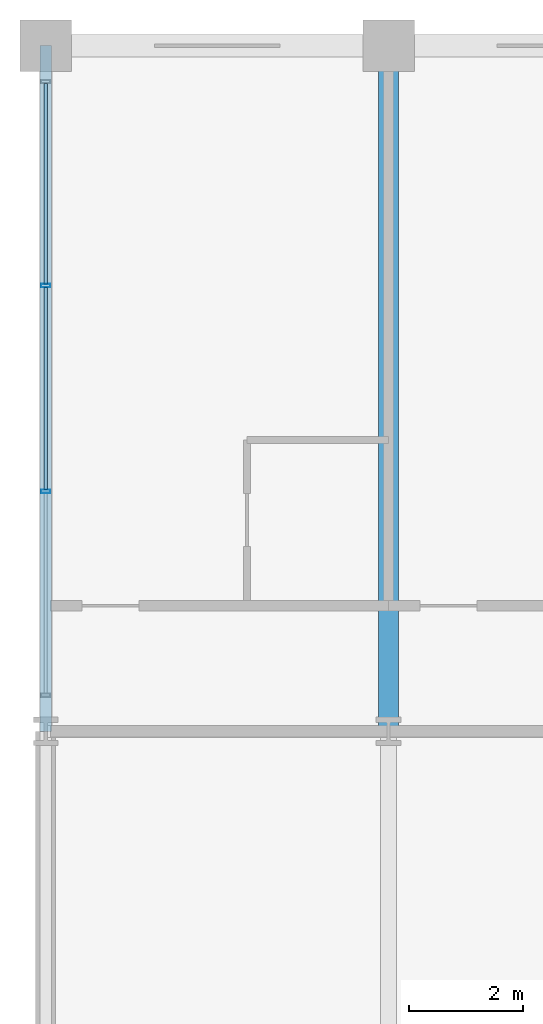
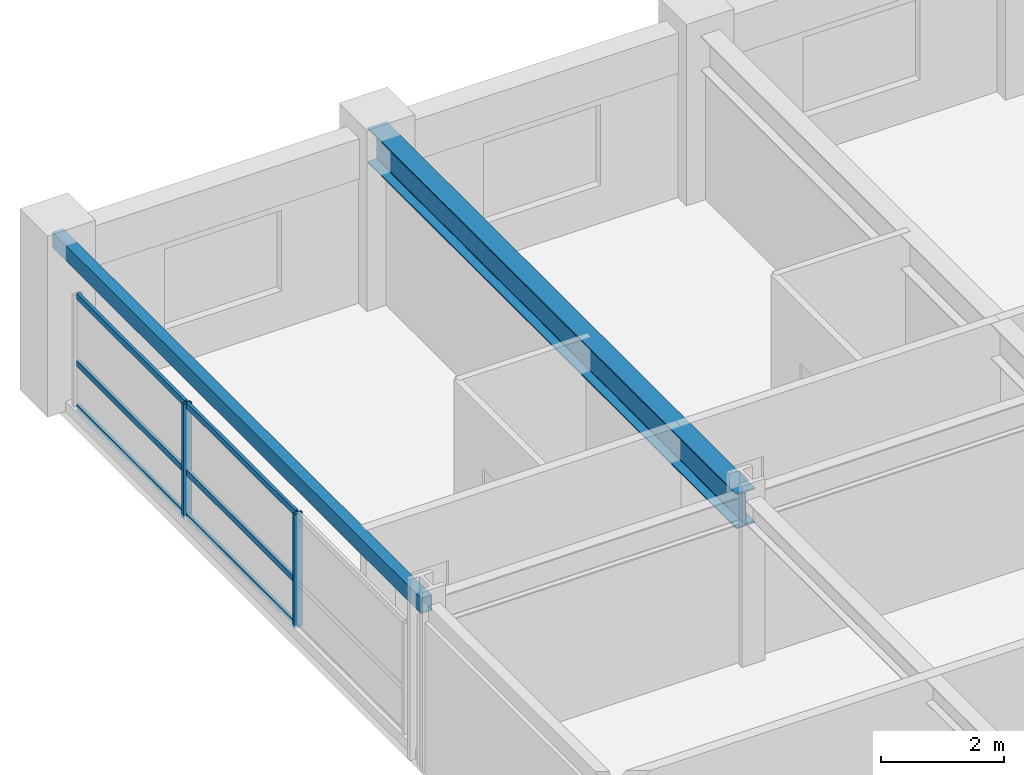
# One storey, part 8 of 22: 8 members, 2 beams, 1 element without a shape of its own.
"""IFC4 building model written with IfcOpenShell, lengths in metres."""

from ifc_helpers import new_model, si_unit, direction, frame, origin, origin_2d, place, context, subcontext, project, spatial, hollow_rectangle, i_section, extrude, material, material_profile, profile_set, type_object, element, aggregate, save


model = new_model("IFC4")

# Units and contexts
model_context = context("Model", 3, precision=1e-05, world=origin(), true_north=direction((0.0, 1.0)))
body_context = subcontext(model_context, "Body", "Model", "MODEL_VIEW")
ifc_project = project(units=[si_unit("LENGTHUNIT", "METRE"), si_unit("AREAUNIT", "SQUARE_METRE"), si_unit("VOLUMEUNIT", "CUBIC_METRE"), si_unit("PLANEANGLEUNIT", "RADIAN"), si_unit("MASSUNIT", "GRAM", prefix="KILO")], contexts=[model_context])

# Site, building, storey
site_placement = place(None, origin())
site = spatial("IfcSite", under=ifc_project, at=site_placement, CompositionType="ELEMENT")
building_placement = place(site_placement, origin())
building = spatial("IfcBuilding", under=site, at=building_placement, Name="Kaldorvane Square Convention Centre", CompositionType="ELEMENT")
storey_placement = place(building_placement, frame((0.0, 0.0, 34.80000305175781)))
storey = spatial("IfcBuildingStorey", under=building, at=storey_placement, Name="L07", CompositionType="ELEMENT", Elevation=34.80000305175781)

# Beams
ifc_material_1 = material(Name="Steel ASTM A992 Gr. 50", Category="steel")
ifc_material_profile_1 = material_profile(ifc_material_1, i_section(OverallWidth=0.354705810546875, OverallDepth=0.69549560546875, WebThickness=0.0153961181640625, FlangeThickness=0.0251007080078125, FilletRadius=0.01519775390625, at=origin_2d()), Name="W27X146")
ifc_profile_set_1 = profile_set([ifc_material_profile_1], Name="Steel ASTM A992 Gr. 50")
beam_type_1 = type_object("IfcBeamType", Name="BM-GR-W27X146", PredefinedType="BEAM", material=ifc_profile_set_1)
beam_1_placement = place(storey_placement, frame((30.0, 105.0, 2.93829345703125), z_axis=(0.0, 1.0, 0.0), x_axis=(-1.0, 0.0, 0.0)))
element("IfcBeam", 1, at=beam_1_placement, inside=storey, type_object=beam_type_1, Name="Transverse Girder (L07)", PredefinedType="BEAM", context=body_context, shape_type="SweptSolid", body=[
    extrude(i_section(OverallWidth=0.354705810546875, OverallDepth=0.69549560546875, WebThickness=0.0153961181640625, FlangeThickness=0.0251007080078125, FilletRadius=0.01519775390625, at=origin_2d()), origin(), (0.0, 0.0, 1.0), 12.0),
])
ifc_material_2 = material(Name="Steel ASTM A500 Gr. C", Category="steel")
ifc_material_profile_2 = material_profile(ifc_material_2, hollow_rectangle(XDim=0.2032012939453125, YDim=0.3047943115234375, WallThickness=0.0088958740234375, at=origin_2d()), Name="HSS12X8X3/8")
ifc_profile_set_2 = profile_set([ifc_material_profile_2], Name="Steel ASTM A500 Gr. C")
beam_type_2 = type_object("IfcBeamType", Name="BM-SP-HSS12", PredefinedType="SPANDREL", material=ifc_profile_set_2)
beam_2_placement = place(storey_placement, frame((24.0, 105.0, 3.1335906982421875), z_axis=(0.0, 1.0, 0.0), x_axis=(-1.0, 0.0, 0.0)))
element("IfcBeam", 2, at=beam_2_placement, inside=storey, type_object=beam_type_2, Name="End Spandrel (L07)", PredefinedType="SPANDREL", context=body_context, shape_type="SweptSolid", body=[
    extrude(hollow_rectangle(XDim=0.2032012939453125, YDim=0.3047943115234375, WallThickness=0.0088958740234375, at=origin_2d()), origin(), (0.0, 0.0, 1.0), 12.0),
])

# Curtain wall, members
ifc_material_3 = material(Name="Anodized Aluminum and Low-E Insulated Glazing", Category="aluminium")
curtain_wall_type = type_object("IfcCurtainWallType", Name="CW-UNI-HTL-B", PredefinedType="USERDEFINED", material=ifc_material_3)
curtain_wall_placement = place(storey_placement, origin())
curtain_wall = element("IfcCurtainWall", 3, at=curtain_wall_placement, inside=storey, type_object=curtain_wall_type, Name="Curtain Wall CW-11 (L07)", ObjectType="UNITISED GLAZING", PredefinedType="USERDEFINED")
ifc_material_profile_3 = material_profile(ifc_material_3, hollow_rectangle(XDim=0.05999755859375, YDim=0.160003662109375, WallThickness=0.003204345703125, at=origin_2d()), Name="CWM-160X60")
ifc_profile_set_3 = profile_set([ifc_material_profile_3], Name="Anodized Aluminum and Low-E Insulated Glazing")
member_type_1 = type_object("IfcMemberType", Name="CW-MUL-160", PredefinedType="MULLION", material=ifc_profile_set_3)
member_1_placement = place(storey_placement, frame((24.0, 112.80000305175781, 0.149993896484375), z_axis=(0.0, 0.0, 1.0), x_axis=(0.0, -1.0, 0.0)))
member_1 = element("IfcMember", 4, at=member_1_placement, type_object=member_type_1, Name="CW-11 mullion 2", PredefinedType="MULLION", context=body_context, shape_type="SweptSolid", body=[
    extrude(hollow_rectangle(XDim=0.05999755859375, YDim=0.160003662109375, WallThickness=0.003204345703125, at=origin_2d()), origin(), (0.0, 0.0, 1.0), 2.260009765625),
])
member_2_placement = place(storey_placement, frame((24.0, 109.19999694824219, 0.149993896484375), z_axis=(0.0, 0.0, 1.0), x_axis=(0.0, -1.0, 0.0)))
member_2 = element("IfcMember", 5, at=member_2_placement, type_object=member_type_1, Name="CW-11 mullion 3", PredefinedType="MULLION", context=body_context, shape_type="SweptSolid", body=[
    extrude(hollow_rectangle(XDim=0.05999755859375, YDim=0.160003662109375, WallThickness=0.003204345703125, at=origin_2d()), origin(), (0.0, 0.0, 1.0), 2.260009765625),
])
ifc_material_profile_4 = material_profile(ifc_material_3, hollow_rectangle(XDim=0.05499267578125, YDim=0.1199951171875, WallThickness=0.0030059814453125, at=origin_2d()), Name="CWT-120X55")
ifc_profile_set_4 = profile_set([ifc_material_profile_4], Name="Anodized Aluminum and Low-E Insulated Glazing")
member_type_2 = type_object("IfcMemberType", Name="CW-TRN-120", PredefinedType="USERDEFINED", material=ifc_profile_set_4)
member_3_placement = place(storey_placement, frame((24.0, 116.33999633789062, 0.177490234375), z_axis=(0.0, -1.0, 0.0), x_axis=(1.0, 0.0, 0.0)))
member_3 = element("IfcMember", 6, at=member_3_placement, type_object=member_type_2, Name="CW-11 transom 1.1", ObjectType="TRANSOM", PredefinedType="USERDEFINED", context=body_context, shape_type="SweptSolid", body=[
    extrude(hollow_rectangle(XDim=0.05499267578125, YDim=0.1199951171875, WallThickness=0.0030059814453125, at=origin_2d()), origin(), (0.0, 0.0, 1.0), 3.5099945068359375),
])
member_4_placement = place(storey_placement, frame((24.0, 116.33999633789062, 1.0500030517578125), z_axis=(0.0, -1.0, 0.0), x_axis=(1.0, 0.0, 0.0)))
member_4 = element("IfcMember", 7, at=member_4_placement, type_object=member_type_2, Name="CW-11 transom 1.2", ObjectType="TRANSOM", PredefinedType="USERDEFINED", context=body_context, shape_type="SweptSolid", body=[
    extrude(hollow_rectangle(XDim=0.05499267578125, YDim=0.1199951171875, WallThickness=0.0030059814453125, at=origin_2d()), origin(), (0.0, 0.0, 1.0), 3.5099945068359375),
])
member_5_placement = place(storey_placement, frame((24.0, 116.33999633789062, 2.3824920654296875), z_axis=(0.0, -1.0, 0.0), x_axis=(1.0, 0.0, 0.0)))
member_5 = element("IfcMember", 8, at=member_5_placement, type_object=member_type_2, Name="CW-11 transom 1.3", ObjectType="TRANSOM", PredefinedType="USERDEFINED", context=body_context, shape_type="SweptSolid", body=[
    extrude(hollow_rectangle(XDim=0.05499267578125, YDim=0.1199951171875, WallThickness=0.0030059814453125, at=origin_2d()), origin(), (0.0, 0.0, 1.0), 3.5099945068359375),
])
member_6_placement = place(storey_placement, frame((24.0, 112.77000427246094, 0.177490234375), z_axis=(0.0, -1.0, 0.0), x_axis=(1.0, 0.0, 0.0)))
member_6 = element("IfcMember", 9, at=member_6_placement, type_object=member_type_2, Name="CW-11 transom 2.1", ObjectType="TRANSOM", PredefinedType="USERDEFINED", context=body_context, shape_type="SweptSolid", body=[
    extrude(hollow_rectangle(XDim=0.05499267578125, YDim=0.1199951171875, WallThickness=0.0030059814453125, at=origin_2d()), origin(), (0.0, 0.0, 1.0), 3.540008544921875),
])
member_7_placement = place(storey_placement, frame((24.0, 112.77000427246094, 1.0500030517578125), z_axis=(0.0, -1.0, 0.0), x_axis=(1.0, 0.0, 0.0)))
member_7 = element("IfcMember", 10, at=member_7_placement, type_object=member_type_2, Name="CW-11 transom 2.2", ObjectType="TRANSOM", PredefinedType="USERDEFINED", context=body_context, shape_type="SweptSolid", body=[
    extrude(hollow_rectangle(XDim=0.05499267578125, YDim=0.1199951171875, WallThickness=0.0030059814453125, at=origin_2d()), origin(), (0.0, 0.0, 1.0), 3.540008544921875),
])
member_8_placement = place(storey_placement, frame((24.0, 112.77000427246094, 2.3824920654296875), z_axis=(0.0, -1.0, 0.0), x_axis=(1.0, 0.0, 0.0)))
member_8 = element("IfcMember", 11, at=member_8_placement, type_object=member_type_2, Name="CW-11 transom 2.3", ObjectType="TRANSOM", PredefinedType="USERDEFINED", context=body_context, shape_type="SweptSolid", body=[
    extrude(hollow_rectangle(XDim=0.05499267578125, YDim=0.1199951171875, WallThickness=0.0030059814453125, at=origin_2d()), origin(), (0.0, 0.0, 1.0), 3.540008544921875),
])
aggregate(curtain_wall, [member_1, member_2, member_3, member_4, member_5, member_6, member_7, member_8])

save(model, "model.ifc")
